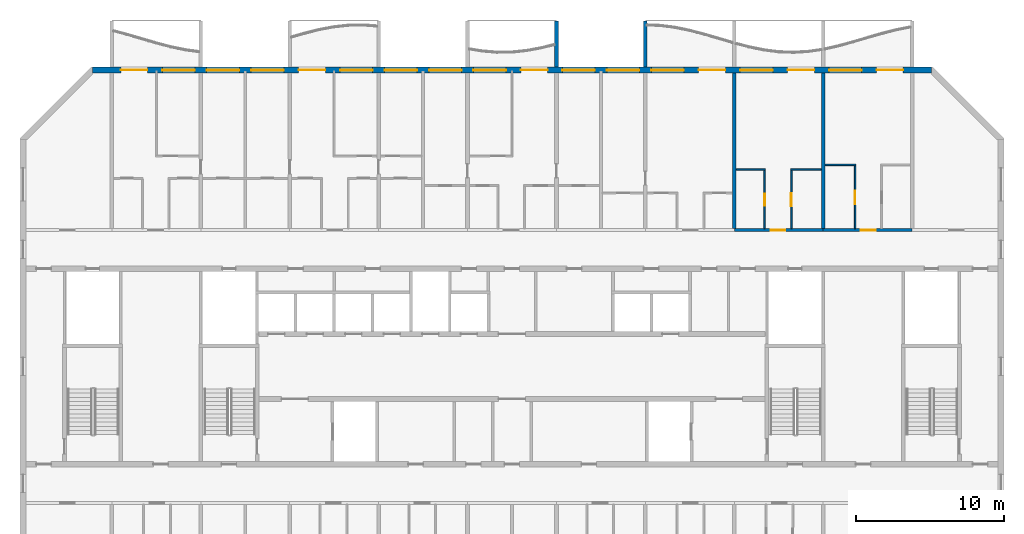
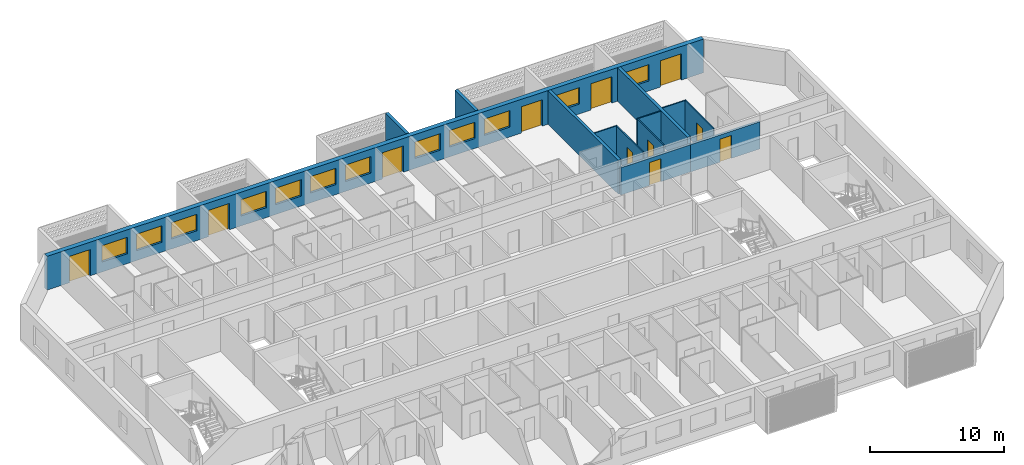
# One storey, part 10 of 26: 13 walls, 12 windows, 11 doors, 23 openings.
"""IFC4 building model written with IfcOpenShell, lengths in metres."""

from ifc_helpers import new_model, si_unit, direction, frame, frame_2d, origin, place, context, subcontext, project, spatial, polyline, rectangle, outline, extrude, source, transform, mapped, material, layer, layer_set, type_object, element, fill, save


model = new_model("IFC4")

# Units and contexts
model_context = context("Model", 3, precision=1e-05, world=origin(), true_north=direction((0.0, 1.0)))
body_context = subcontext(model_context, "Body", "Model", "MODEL_VIEW")
ifc_project = project(units=[si_unit("LENGTHUNIT", "METRE"), si_unit("AREAUNIT", "SQUARE_METRE"), si_unit("VOLUMEUNIT", "CUBIC_METRE"), si_unit("PLANEANGLEUNIT", "RADIAN"), si_unit("MASSUNIT", "GRAM", prefix="KILO")], contexts=[model_context])

# Site, building, storey
site_placement = place(None, origin())
site = spatial("IfcSite", under=ifc_project, at=site_placement, CompositionType="ELEMENT")
building_placement = place(site_placement, origin())
building = spatial("IfcBuilding", under=site, at=building_placement, Name="Poui Terraces", CompositionType="ELEMENT")
storey_placement = place(building_placement, frame((0.0, 0.0, 241.199951171875)))
storey = spatial("IfcBuildingStorey", under=building, at=storey_placement, Name="L67", CompositionType="ELEMENT", Elevation=241.199951171875)

# Wall, opening, door
ifc_material_1 = material(Name="Concrete 50 MPa", Category="concrete")
ifc_layer_1 = layer(ifc_material_1, 0.199951171875)
ifc_layer_set_1 = layer_set([ifc_layer_1], Name="Concrete 50 MPa")
wall_type_1 = type_object("IfcWallType", Name="CORRIDOR WALL 200 50MPa", PredefinedType="SHEAR", material=ifc_layer_set_1)
wall_1_placement = place(storey_placement, frame((66.0, 30.39990234375, 0.0), z_axis=(0.0, 0.0, 1.0), x_axis=(1.0, 0.0, 0.0)))
wall_1 = element("IfcWall", 1, at=wall_1_placement, inside=storey, type_object=wall_type_1, Name="CORRIDOR WALL LINE E BAY 9", PredefinedType="SHEAR", context=body_context, shape_type="SweptSolid", body=[
    extrude(rectangle(XDim=6.0, YDim=0.199951171875, at=frame_2d((3.0, 0.0))), origin(), (0.0, 0.0, 1.0), 2.47998046875),
])
opening_1_placement = place(wall_1_placement, frame((2.449951171875, 0.0, 0.0)))
opening_1 = element("IfcOpeningElement", 2, at=opening_1_placement, cuts=wall_1, Name="Opening FD30S", PredefinedType="OPENING", context=body_context, shape_type="SweptSolid", body=[
    extrude(rectangle(XDim=1.0, YDim=2.10009765625, at=frame_2d((0.5, 1.050048828125))), frame((0.0, 0.10986328125, 0.0), z_axis=(0.0, -1.0, 0.0), x_axis=(1.0, 0.0, 0.0)), (0.0, 0.0, 1.0), 0.219970703125),
])
ifc_material_2 = material(Name="Steel fire door", Category="steel")
door_type_1 = type_object("IfcDoorType", Name="FLAT ENTRANCE DOOR 1000 X 2100", OperationType="NOTDEFINED", PredefinedType="DOOR", material=ifc_material_2)
door_1_placement = place(opening_1_placement, origin())
door_1 = element("IfcDoor", 3, at=door_1_placement, inside=storey, type_object=door_type_1, Name="FLAT ENTRANCE DOOR 055", OperationType="SINGLE_SWING_LEFT", OverallHeight=2.10009765625, OverallWidth=1.0, PredefinedType="DOOR", context=body_context, shape_type="SweptSolid", body=[
    extrude(rectangle(XDim=1.0, YDim=2.10009765625, at=frame_2d((0.5, 1.050048828125))), frame((0.0, 0.02490234375, 0.0), z_axis=(0.0, -1.0, 0.0), x_axis=(1.0, 0.0, 0.0)), (0.0, 0.0, 1.0), 0.050048828125),
])
fill(opening_1, door_1)

wall_2_placement = place(storey_placement, frame((72.0, 30.39990234375, 0.0), z_axis=(0.0, 0.0, 1.0), x_axis=(1.0, 0.0, 0.0)))
wall_2 = element("IfcWall", 4, at=wall_2_placement, inside=storey, type_object=wall_type_1, Name="CORRIDOR WALL LINE E BAY 10", PredefinedType="SHEAR", context=body_context, shape_type="SweptSolid", body=[
    extrude(rectangle(XDim=6.0, YDim=0.199951171875, at=frame_2d((3.0, 0.0))), origin(), (0.0, 0.0, 1.0), 2.47998046875),
])
opening_2_placement = place(wall_2_placement, frame((2.550048828125, 0.0, 0.0)))
opening_2 = element("IfcOpeningElement", 5, at=opening_2_placement, cuts=wall_2, Name="Opening FD30S", PredefinedType="OPENING", context=body_context, shape_type="SweptSolid", body=[
    extrude(rectangle(XDim=1.0, YDim=2.10009765625, at=frame_2d((0.5, 1.050048828125))), frame((0.0, 0.10986328125, 0.0), z_axis=(0.0, -1.0, 0.0), x_axis=(1.0, 0.0, 0.0)), (0.0, 0.0, 1.0), 0.219970703125),
])
door_2_placement = place(opening_2_placement, origin())
door_2 = element("IfcDoor", 6, at=door_2_placement, inside=storey, type_object=door_type_1, Name="FLAT ENTRANCE DOOR 058", OperationType="SINGLE_SWING_RIGHT", OverallHeight=2.10009765625, OverallWidth=1.0, PredefinedType="DOOR", context=body_context, shape_type="SweptSolid", body=[
    extrude(rectangle(XDim=1.0, YDim=2.10009765625, at=frame_2d((0.5, 1.050048828125))), frame((0.0, 0.02490234375, 0.0), z_axis=(0.0, -1.0, 0.0), x_axis=(1.0, 0.0, 0.0)), (0.0, 0.0, 1.0), 0.050048828125),
])
fill(opening_2, door_2)

# Walls
ifc_layer_2 = layer(ifc_material_1, 0.25)
ifc_layer_set_2 = layer_set([ifc_layer_2], Name="Concrete 50 MPa")
wall_type_2 = type_object("IfcWallType", Name="CROSS WALL 250 50MPa", PredefinedType="SHEAR", material=ifc_layer_set_2)
for number, where, z_axis, x_axis, name in (
    (7, (66.0, 30.5, 0.0), (0.0, 0.0, 1.0), (0.0, 1.0, 0.0), "CROSS WALL LINE 12 NORTH"),
    (8, (72.0, 30.5, 0.0), (0.0, 0.0, 1.0), (0.0, 1.0, 0.0), "CROSS WALL LINE 13 NORTH"),
):
    element("IfcWall", number, at=place(storey_placement, frame(where, z_axis=z_axis, x_axis=x_axis)), inside=storey, type_object=wall_type_2, Name=name, PredefinedType="SHEAR", context=body_context, shape_type="SweptSolid", body=[
        extrude(rectangle(XDim=10.5, YDim=0.25, at=frame_2d((5.25, 0.0))), origin(), (0.0, 0.0, 1.0), 3.080078125),
    ])

# Wall, openings, doors, windows
ifc_material_3 = material(Name="Precast concrete 40 MPa", Category="concrete")
ifc_layer_3 = layer(ifc_material_3, 0.39990234375)
ifc_layer_set_3 = layer_set([ifc_layer_3], Name="Precast concrete 40 MPa")
wall_type_3 = type_object("IfcWallType", Name="EXTERNAL WALL 400", PredefinedType="STANDARD", material=ifc_layer_set_3)
wall_3_placement = place(storey_placement, frame((79.317138671875, 41.199951171875, 0.0), z_axis=(0.0, 0.0, 1.0), x_axis=(-1.0, 0.0, 0.0)))
wall_3 = element("IfcWall", 9, at=wall_3_placement, inside=storey, type_object=wall_type_3, Name="EXTERNAL WALL N", PredefinedType="STANDARD", context=body_context, shape_type="SweptSolid", body=[
    extrude(rectangle(XDim=56.63427734375, YDim=0.39990234375, at=frame_2d((28.317138671875, 0.0))), origin(), (0.0, 0.0, 1.0), 3.080078125),
])
opening_3_placement = place(wall_3_placement, frame((52.917236328125, 0.0, 0.0)))
opening_3 = element("IfcOpeningElement", 10, at=opening_3_placement, cuts=wall_3, Name="Opening BD1", PredefinedType="OPENING", context=body_context, shape_type="SweptSolid", body=[
    extrude(rectangle(XDim=1.800048828125, YDim=2.39990234375, at=frame_2d((0.89990234375, 1.199951171875))), frame((0.0, 0.2099609375, 0.0), z_axis=(0.0, -1.0, 0.0), x_axis=(1.0, 0.0, 0.0)), (0.0, 0.0, 1.0), 0.419921875),
])
opening_4_placement = place(wall_3_placement, frame((49.71728515625, 0.0, 0.89990234375)))
opening_4 = element("IfcOpeningElement", 11, at=opening_4_placement, cuts=wall_3, Name="Opening W1", PredefinedType="OPENING", context=body_context, shape_type="SweptSolid", body=[
    extrude(rectangle(XDim=2.199951171875, YDim=1.5, at=frame_2d((1.10009765625, 0.75))), frame((0.0, 0.2099609375, 0.0), z_axis=(0.0, -1.0, 0.0), x_axis=(1.0, 0.0, 0.0)), (0.0, 0.0, 1.0), 0.419921875),
])
opening_5_placement = place(wall_3_placement, frame((46.71728515625, 0.0, 0.89990234375)))
opening_5 = element("IfcOpeningElement", 12, at=opening_5_placement, cuts=wall_3, Name="Opening W1", PredefinedType="OPENING", context=body_context, shape_type="SweptSolid", body=[
    extrude(rectangle(XDim=2.199951171875, YDim=1.5, at=frame_2d((1.10009765625, 0.75))), frame((0.0, 0.2099609375, 0.0), z_axis=(0.0, -1.0, 0.0), x_axis=(1.0, 0.0, 0.0)), (0.0, 0.0, 1.0), 0.419921875),
])
opening_6_placement = place(wall_3_placement, frame((43.71728515625, 0.0, 0.89990234375)))
opening_6 = element("IfcOpeningElement", 13, at=opening_6_placement, cuts=wall_3, Name="Opening W1", PredefinedType="OPENING", context=body_context, shape_type="SweptSolid", body=[
    extrude(rectangle(XDim=2.199951171875, YDim=1.5, at=frame_2d((1.10009765625, 0.75))), frame((0.0, 0.2099609375, 0.0), z_axis=(0.0, -1.0, 0.0), x_axis=(1.0, 0.0, 0.0)), (0.0, 0.0, 1.0), 0.419921875),
])
opening_7_placement = place(wall_3_placement, frame((40.917236328125, 0.0, 0.0)))
opening_7 = element("IfcOpeningElement", 14, at=opening_7_placement, cuts=wall_3, Name="Opening BD1", PredefinedType="OPENING", context=body_context, shape_type="SweptSolid", body=[
    extrude(rectangle(XDim=1.800048828125, YDim=2.39990234375, at=frame_2d((0.89990234375, 1.199951171875))), frame((0.0, 0.2099609375, 0.0), z_axis=(0.0, -1.0, 0.0), x_axis=(1.0, 0.0, 0.0)), (0.0, 0.0, 1.0), 0.419921875),
])
opening_8_placement = place(wall_3_placement, frame((37.71728515625, 0.0, 0.89990234375)))
opening_8 = element("IfcOpeningElement", 15, at=opening_8_placement, cuts=wall_3, Name="Opening W1", PredefinedType="OPENING", context=body_context, shape_type="SweptSolid", body=[
    extrude(rectangle(XDim=2.199951171875, YDim=1.5, at=frame_2d((1.10009765625, 0.75))), frame((0.0, 0.2099609375, 0.0), z_axis=(0.0, -1.0, 0.0), x_axis=(1.0, 0.0, 0.0)), (0.0, 0.0, 1.0), 0.419921875),
])
opening_9_placement = place(wall_3_placement, frame((34.71728515625, 0.0, 0.89990234375)))
opening_9 = element("IfcOpeningElement", 16, at=opening_9_placement, cuts=wall_3, Name="Opening W1", PredefinedType="OPENING", context=body_context, shape_type="SweptSolid", body=[
    extrude(rectangle(XDim=2.199951171875, YDim=1.5, at=frame_2d((1.10009765625, 0.75))), frame((0.0, 0.2099609375, 0.0), z_axis=(0.0, -1.0, 0.0), x_axis=(1.0, 0.0, 0.0)), (0.0, 0.0, 1.0), 0.419921875),
])
opening_10_placement = place(wall_3_placement, frame((31.71728515625, 0.0, 0.89990234375)))
opening_10 = element("IfcOpeningElement", 17, at=opening_10_placement, cuts=wall_3, Name="Opening W1", PredefinedType="OPENING", context=body_context, shape_type="SweptSolid", body=[
    extrude(rectangle(XDim=2.199951171875, YDim=1.5, at=frame_2d((1.10009765625, 0.75))), frame((0.0, 0.2099609375, 0.0), z_axis=(0.0, -1.0, 0.0), x_axis=(1.0, 0.0, 0.0)), (0.0, 0.0, 1.0), 0.419921875),
])
opening_11_placement = place(wall_3_placement, frame((28.71728515625, 0.0, 0.89990234375)))
opening_11 = element("IfcOpeningElement", 18, at=opening_11_placement, cuts=wall_3, Name="Opening W1", PredefinedType="OPENING", context=body_context, shape_type="SweptSolid", body=[
    extrude(rectangle(XDim=2.199951171875, YDim=1.5, at=frame_2d((1.10009765625, 0.75))), frame((0.0, 0.2099609375, 0.0), z_axis=(0.0, -1.0, 0.0), x_axis=(1.0, 0.0, 0.0)), (0.0, 0.0, 1.0), 0.419921875),
])
opening_12_placement = place(wall_3_placement, frame((25.917236328125, 0.0, 0.0)))
opening_12 = element("IfcOpeningElement", 19, at=opening_12_placement, cuts=wall_3, Name="Opening BD1", PredefinedType="OPENING", context=body_context, shape_type="SweptSolid", body=[
    extrude(rectangle(XDim=1.800048828125, YDim=2.39990234375, at=frame_2d((0.89990234375, 1.199951171875))), frame((0.0, 0.2099609375, 0.0), z_axis=(0.0, -1.0, 0.0), x_axis=(1.0, 0.0, 0.0)), (0.0, 0.0, 1.0), 0.419921875),
])
opening_13_placement = place(wall_3_placement, frame((22.71728515625, 0.0, 0.89990234375)))
opening_13 = element("IfcOpeningElement", 20, at=opening_13_placement, cuts=wall_3, Name="Opening W1", PredefinedType="OPENING", context=body_context, shape_type="SweptSolid", body=[
    extrude(rectangle(XDim=2.199951171875, YDim=1.5, at=frame_2d((1.10009765625, 0.75))), frame((0.0, 0.2099609375, 0.0), z_axis=(0.0, -1.0, 0.0), x_axis=(1.0, 0.0, 0.0)), (0.0, 0.0, 1.0), 0.419921875),
])
opening_14_placement = place(wall_3_placement, frame((19.71728515625, 0.0, 0.89990234375)))
opening_14 = element("IfcOpeningElement", 21, at=opening_14_placement, cuts=wall_3, Name="Opening W1", PredefinedType="OPENING", context=body_context, shape_type="SweptSolid", body=[
    extrude(rectangle(XDim=2.199951171875, YDim=1.5, at=frame_2d((1.10009765625, 0.75))), frame((0.0, 0.2099609375, 0.0), z_axis=(0.0, -1.0, 0.0), x_axis=(1.0, 0.0, 0.0)), (0.0, 0.0, 1.0), 0.419921875),
])
opening_15_placement = place(wall_3_placement, frame((16.71728515625, 0.0, 0.89990234375)))
opening_15 = element("IfcOpeningElement", 22, at=opening_15_placement, cuts=wall_3, Name="Opening W1", PredefinedType="OPENING", context=body_context, shape_type="SweptSolid", body=[
    extrude(rectangle(XDim=2.199951171875, YDim=1.5, at=frame_2d((1.10009765625, 0.75))), frame((0.0, 0.2099609375, 0.0), z_axis=(0.0, -1.0, 0.0), x_axis=(1.0, 0.0, 0.0)), (0.0, 0.0, 1.0), 0.419921875),
])
opening_16_placement = place(wall_3_placement, frame((13.917236328125, 0.0, 0.0)))
opening_16 = element("IfcOpeningElement", 23, at=opening_16_placement, cuts=wall_3, Name="Opening BD1", PredefinedType="OPENING", context=body_context, shape_type="SweptSolid", body=[
    extrude(rectangle(XDim=1.800048828125, YDim=2.39990234375, at=frame_2d((0.89990234375, 1.199951171875))), frame((0.0, 0.2099609375, 0.0), z_axis=(0.0, -1.0, 0.0), x_axis=(1.0, 0.0, 0.0)), (0.0, 0.0, 1.0), 0.419921875),
])
opening_17_placement = place(wall_3_placement, frame((10.71728515625, 0.0, 0.89990234375)))
opening_17 = element("IfcOpeningElement", 24, at=opening_17_placement, cuts=wall_3, Name="Opening W1", PredefinedType="OPENING", context=body_context, shape_type="SweptSolid", body=[
    extrude(rectangle(XDim=2.199951171875, YDim=1.5, at=frame_2d((1.10009765625, 0.75))), frame((0.0, 0.2099609375, 0.0), z_axis=(0.0, -1.0, 0.0), x_axis=(1.0, 0.0, 0.0)), (0.0, 0.0, 1.0), 0.419921875),
])
opening_18_placement = place(wall_3_placement, frame((7.917236328125, 0.0, 0.0)))
opening_18 = element("IfcOpeningElement", 25, at=opening_18_placement, cuts=wall_3, Name="Opening BD1", PredefinedType="OPENING", context=body_context, shape_type="SweptSolid", body=[
    extrude(rectangle(XDim=1.800048828125, YDim=2.39990234375, at=frame_2d((0.89990234375, 1.199951171875))), frame((0.0, 0.2099609375, 0.0), z_axis=(0.0, -1.0, 0.0), x_axis=(1.0, 0.0, 0.0)), (0.0, 0.0, 1.0), 0.419921875),
])
opening_19_placement = place(wall_3_placement, frame((4.71728515625, 0.0, 0.89990234375)))
opening_19 = element("IfcOpeningElement", 26, at=opening_19_placement, cuts=wall_3, Name="Opening W1", PredefinedType="OPENING", context=body_context, shape_type="SweptSolid", body=[
    extrude(rectangle(XDim=2.199951171875, YDim=1.5, at=frame_2d((1.10009765625, 0.75))), frame((0.0, 0.2099609375, 0.0), z_axis=(0.0, -1.0, 0.0), x_axis=(1.0, 0.0, 0.0)), (0.0, 0.0, 1.0), 0.419921875),
])
opening_20_placement = place(wall_3_placement, frame((1.917236328125, 0.0, 0.0)))
opening_20 = element("IfcOpeningElement", 27, at=opening_20_placement, cuts=wall_3, Name="Opening BD1", PredefinedType="OPENING", context=body_context, shape_type="SweptSolid", body=[
    extrude(rectangle(XDim=1.800048828125, YDim=2.39990234375, at=frame_2d((0.89990234375, 1.199951171875))), frame((0.0, 0.2099609375, 0.0), z_axis=(0.0, -1.0, 0.0), x_axis=(1.0, 0.0, 0.0)), (0.0, 0.0, 1.0), 0.419921875),
])
ifc_material_4 = material(Name="Clear glass in aluminium frame", Category="aluminium")
door_type_2 = type_object("IfcDoorType", Name="BALCONY DOOR 1800X2400", OperationType="DOUBLE_DOOR_SLIDING", PredefinedType="DOOR", material=ifc_material_4)
door_3_placement = place(opening_3_placement, origin())
door_3 = element("IfcDoor", 28, at=door_3_placement, inside=storey, type_object=door_type_2, Name="BD1 BALCONY DOOR", OperationType="DOUBLE_DOOR_SLIDING", OverallHeight=2.39990234375, OverallWidth=1.800048828125, PredefinedType="DOOR", context=body_context, shape_type="SweptSolid", body=[
    extrude(rectangle(XDim=1.800048828125, YDim=2.39990234375, at=frame_2d((0.89990234375, 1.199951171875))), frame((0.0, 0.02490234375, 0.0), z_axis=(0.0, -1.0, 0.0), x_axis=(1.0, 0.0, 0.0)), (0.0, 0.0, 1.0), 0.050048828125),
])
fill(opening_3, door_3)
door_4_placement = place(opening_7_placement, origin())
door_4 = element("IfcDoor", 29, at=door_4_placement, inside=storey, type_object=door_type_2, Name="BD1 BALCONY DOOR", OperationType="DOUBLE_DOOR_SLIDING", OverallHeight=2.39990234375, OverallWidth=1.800048828125, PredefinedType="DOOR", context=body_context, shape_type="SweptSolid", body=[
    extrude(rectangle(XDim=1.800048828125, YDim=2.39990234375, at=frame_2d((0.89990234375, 1.199951171875))), frame((0.0, 0.02490234375, 0.0), z_axis=(0.0, -1.0, 0.0), x_axis=(1.0, 0.0, 0.0)), (0.0, 0.0, 1.0), 0.050048828125),
])
fill(opening_7, door_4)
door_5_placement = place(opening_12_placement, origin())
door_5 = element("IfcDoor", 30, at=door_5_placement, inside=storey, type_object=door_type_2, Name="BD1 BALCONY DOOR", OperationType="DOUBLE_DOOR_SLIDING", OverallHeight=2.39990234375, OverallWidth=1.800048828125, PredefinedType="DOOR", context=body_context, shape_type="SweptSolid", body=[
    extrude(rectangle(XDim=1.800048828125, YDim=2.39990234375, at=frame_2d((0.89990234375, 1.199951171875))), frame((0.0, 0.02490234375, 0.0), z_axis=(0.0, -1.0, 0.0), x_axis=(1.0, 0.0, 0.0)), (0.0, 0.0, 1.0), 0.050048828125),
])
fill(opening_12, door_5)
door_6_placement = place(opening_16_placement, origin())
door_6 = element("IfcDoor", 31, at=door_6_placement, inside=storey, type_object=door_type_2, Name="BD1 BALCONY DOOR", OperationType="DOUBLE_DOOR_SLIDING", OverallHeight=2.39990234375, OverallWidth=1.800048828125, PredefinedType="DOOR", context=body_context, shape_type="SweptSolid", body=[
    extrude(rectangle(XDim=1.800048828125, YDim=2.39990234375, at=frame_2d((0.89990234375, 1.199951171875))), frame((0.0, 0.02490234375, 0.0), z_axis=(0.0, -1.0, 0.0), x_axis=(1.0, 0.0, 0.0)), (0.0, 0.0, 1.0), 0.050048828125),
])
fill(opening_16, door_6)
door_7_placement = place(opening_18_placement, origin())
door_7 = element("IfcDoor", 32, at=door_7_placement, inside=storey, type_object=door_type_2, Name="BD1 BALCONY DOOR", OperationType="DOUBLE_DOOR_SLIDING", OverallHeight=2.39990234375, OverallWidth=1.800048828125, PredefinedType="DOOR", context=body_context, shape_type="SweptSolid", body=[
    extrude(rectangle(XDim=1.800048828125, YDim=2.39990234375, at=frame_2d((0.89990234375, 1.199951171875))), frame((0.0, 0.02490234375, 0.0), z_axis=(0.0, -1.0, 0.0), x_axis=(1.0, 0.0, 0.0)), (0.0, 0.0, 1.0), 0.050048828125),
])
fill(opening_18, door_7)
door_8_placement = place(opening_20_placement, origin())
door_8 = element("IfcDoor", 33, at=door_8_placement, inside=storey, type_object=door_type_2, Name="BD1 BALCONY DOOR", OperationType="DOUBLE_DOOR_SLIDING", OverallHeight=2.39990234375, OverallWidth=1.800048828125, PredefinedType="DOOR", context=body_context, shape_type="SweptSolid", body=[
    extrude(rectangle(XDim=1.800048828125, YDim=2.39990234375, at=frame_2d((0.89990234375, 1.199951171875))), frame((0.0, 0.02490234375, 0.0), z_axis=(0.0, -1.0, 0.0), x_axis=(1.0, 0.0, 0.0)), (0.0, 0.0, 1.0), 0.050048828125),
])
fill(opening_20, door_8)
window_type = type_object("IfcWindowType", Name="WINDOW 2200X1500", PartitioningType="DOUBLE_PANEL_HORIZONTAL", PredefinedType="WINDOW", material=ifc_material_4)
window_1_placement = place(opening_4_placement, origin())
window_1 = element("IfcWindow", 34, at=window_1_placement, inside=storey, type_object=window_type, Name="W1 WINDOW", OverallHeight=1.5, OverallWidth=2.199951171875, PartitioningType="DOUBLE_PANEL_HORIZONTAL", PredefinedType="WINDOW", context=body_context, shape_type="SweptSolid", body=[
    extrude(rectangle(XDim=2.199951171875, YDim=1.5, at=frame_2d((1.10009765625, 0.75))), frame((0.0, 0.030029296875, 0.0), z_axis=(0.0, -1.0, 0.0), x_axis=(1.0, 0.0, 0.0)), (0.0, 0.0, 1.0), 0.06005859375),
])
fill(opening_4, window_1)
window_2_placement = place(opening_5_placement, origin())
window_2 = element("IfcWindow", 35, at=window_2_placement, inside=storey, type_object=window_type, Name="W1 WINDOW", OverallHeight=1.5, OverallWidth=2.199951171875, PartitioningType="DOUBLE_PANEL_HORIZONTAL", PredefinedType="WINDOW", context=body_context, shape_type="SweptSolid", body=[
    extrude(rectangle(XDim=2.199951171875, YDim=1.5, at=frame_2d((1.10009765625, 0.75))), frame((0.0, 0.030029296875, 0.0), z_axis=(0.0, -1.0, 0.0), x_axis=(1.0, 0.0, 0.0)), (0.0, 0.0, 1.0), 0.06005859375),
])
fill(opening_5, window_2)
window_3_placement = place(opening_6_placement, origin())
window_3 = element("IfcWindow", 36, at=window_3_placement, inside=storey, type_object=window_type, Name="W1 WINDOW", OverallHeight=1.5, OverallWidth=2.199951171875, PartitioningType="DOUBLE_PANEL_HORIZONTAL", PredefinedType="WINDOW", context=body_context, shape_type="SweptSolid", body=[
    extrude(rectangle(XDim=2.199951171875, YDim=1.5, at=frame_2d((1.10009765625, 0.75))), frame((0.0, 0.030029296875, 0.0), z_axis=(0.0, -1.0, 0.0), x_axis=(1.0, 0.0, 0.0)), (0.0, 0.0, 1.0), 0.06005859375),
])
fill(opening_6, window_3)
window_4_placement = place(opening_8_placement, origin())
window_4 = element("IfcWindow", 37, at=window_4_placement, inside=storey, type_object=window_type, Name="W1 WINDOW", OverallHeight=1.5, OverallWidth=2.199951171875, PartitioningType="DOUBLE_PANEL_HORIZONTAL", PredefinedType="WINDOW", context=body_context, shape_type="SweptSolid", body=[
    extrude(rectangle(XDim=2.199951171875, YDim=1.5, at=frame_2d((1.10009765625, 0.75))), frame((0.0, 0.030029296875, 0.0), z_axis=(0.0, -1.0, 0.0), x_axis=(1.0, 0.0, 0.0)), (0.0, 0.0, 1.0), 0.06005859375),
])
fill(opening_8, window_4)
window_5_placement = place(opening_9_placement, origin())
window_5 = element("IfcWindow", 38, at=window_5_placement, inside=storey, type_object=window_type, Name="W1 WINDOW", OverallHeight=1.5, OverallWidth=2.199951171875, PartitioningType="DOUBLE_PANEL_HORIZONTAL", PredefinedType="WINDOW", context=body_context, shape_type="SweptSolid", body=[
    extrude(rectangle(XDim=2.199951171875, YDim=1.5, at=frame_2d((1.10009765625, 0.75))), frame((0.0, 0.030029296875, 0.0), z_axis=(0.0, -1.0, 0.0), x_axis=(1.0, 0.0, 0.0)), (0.0, 0.0, 1.0), 0.06005859375),
])
fill(opening_9, window_5)
window_6_placement = place(opening_10_placement, origin())
window_6 = element("IfcWindow", 39, at=window_6_placement, inside=storey, type_object=window_type, Name="W1 WINDOW", OverallHeight=1.5, OverallWidth=2.199951171875, PartitioningType="DOUBLE_PANEL_HORIZONTAL", PredefinedType="WINDOW", context=body_context, shape_type="SweptSolid", body=[
    extrude(rectangle(XDim=2.199951171875, YDim=1.5, at=frame_2d((1.10009765625, 0.75))), frame((0.0, 0.030029296875, 0.0), z_axis=(0.0, -1.0, 0.0), x_axis=(1.0, 0.0, 0.0)), (0.0, 0.0, 1.0), 0.06005859375),
])
fill(opening_10, window_6)
window_7_placement = place(opening_11_placement, origin())
window_7 = element("IfcWindow", 40, at=window_7_placement, inside=storey, type_object=window_type, Name="W1 WINDOW", OverallHeight=1.5, OverallWidth=2.199951171875, PartitioningType="DOUBLE_PANEL_HORIZONTAL", PredefinedType="WINDOW", context=body_context, shape_type="SweptSolid", body=[
    extrude(rectangle(XDim=2.199951171875, YDim=1.5, at=frame_2d((1.10009765625, 0.75))), frame((0.0, 0.030029296875, 0.0), z_axis=(0.0, -1.0, 0.0), x_axis=(1.0, 0.0, 0.0)), (0.0, 0.0, 1.0), 0.06005859375),
])
fill(opening_11, window_7)
window_8_placement = place(opening_13_placement, origin())
window_8 = element("IfcWindow", 41, at=window_8_placement, inside=storey, type_object=window_type, Name="W1 WINDOW", OverallHeight=1.5, OverallWidth=2.199951171875, PartitioningType="DOUBLE_PANEL_HORIZONTAL", PredefinedType="WINDOW", context=body_context, shape_type="SweptSolid", body=[
    extrude(rectangle(XDim=2.199951171875, YDim=1.5, at=frame_2d((1.10009765625, 0.75))), frame((0.0, 0.030029296875, 0.0), z_axis=(0.0, -1.0, 0.0), x_axis=(1.0, 0.0, 0.0)), (0.0, 0.0, 1.0), 0.06005859375),
])
fill(opening_13, window_8)
window_9_placement = place(opening_14_placement, origin())
window_9 = element("IfcWindow", 42, at=window_9_placement, inside=storey, type_object=window_type, Name="W1 WINDOW", OverallHeight=1.5, OverallWidth=2.199951171875, PartitioningType="DOUBLE_PANEL_HORIZONTAL", PredefinedType="WINDOW", context=body_context, shape_type="SweptSolid", body=[
    extrude(rectangle(XDim=2.199951171875, YDim=1.5, at=frame_2d((1.10009765625, 0.75))), frame((0.0, 0.030029296875, 0.0), z_axis=(0.0, -1.0, 0.0), x_axis=(1.0, 0.0, 0.0)), (0.0, 0.0, 1.0), 0.06005859375),
])
fill(opening_14, window_9)
window_10_placement = place(opening_15_placement, origin())
window_10 = element("IfcWindow", 43, at=window_10_placement, inside=storey, type_object=window_type, Name="W1 WINDOW", OverallHeight=1.5, OverallWidth=2.199951171875, PartitioningType="DOUBLE_PANEL_HORIZONTAL", PredefinedType="WINDOW", context=body_context, shape_type="SweptSolid", body=[
    extrude(rectangle(XDim=2.199951171875, YDim=1.5, at=frame_2d((1.10009765625, 0.75))), frame((0.0, 0.030029296875, 0.0), z_axis=(0.0, -1.0, 0.0), x_axis=(1.0, 0.0, 0.0)), (0.0, 0.0, 1.0), 0.06005859375),
])
fill(opening_15, window_10)
window_11_placement = place(opening_17_placement, origin())
window_11 = element("IfcWindow", 44, at=window_11_placement, inside=storey, type_object=window_type, Name="W1 WINDOW", OverallHeight=1.5, OverallWidth=2.199951171875, PartitioningType="DOUBLE_PANEL_HORIZONTAL", PredefinedType="WINDOW", context=body_context, shape_type="SweptSolid", body=[
    extrude(rectangle(XDim=2.199951171875, YDim=1.5, at=frame_2d((1.10009765625, 0.75))), frame((0.0, 0.030029296875, 0.0), z_axis=(0.0, -1.0, 0.0), x_axis=(1.0, 0.0, 0.0)), (0.0, 0.0, 1.0), 0.06005859375),
])
fill(opening_17, window_11)
window_12_placement = place(opening_19_placement, origin())
window_12 = element("IfcWindow", 45, at=window_12_placement, inside=storey, type_object=window_type, Name="W1 WINDOW", OverallHeight=1.5, OverallWidth=2.199951171875, PartitioningType="DOUBLE_PANEL_HORIZONTAL", PredefinedType="WINDOW", context=body_context, shape_type="SweptSolid", body=[
    extrude(rectangle(XDim=2.199951171875, YDim=1.5, at=frame_2d((1.10009765625, 0.75))), frame((0.0, 0.030029296875, 0.0), z_axis=(0.0, -1.0, 0.0), x_axis=(1.0, 0.0, 0.0)), (0.0, 0.0, 1.0), 0.06005859375),
])
fill(opening_19, window_12)

# Walls
ifc_material_5 = material(Name="Plasterboard partition")
ifc_layer_4 = layer(ifc_material_5, 0.10009765625)
ifc_layer_set_4 = layer_set([ifc_layer_4], Name="Plasterboard partition")
wall_type_4 = type_object("IfcWallType", Name="FLAT PARTITION 100", PredefinedType="PARTITIONING", material=ifc_layer_set_4)
wall_4_placement = place(storey_placement, frame((66.135009765625, 34.5, 0.0), z_axis=(0.0, 0.0, 1.0), x_axis=(1.0, 0.0, 0.0)))
element("IfcWall", 46, at=wall_4_placement, inside=storey, type_object=wall_type_4, Name="FLAT PARTITION 100", PredefinedType="PARTITIONING", context=body_context, shape_type="SweptSolid", body=[
    extrude(rectangle(XDim=1.965087890625, YDim=0.10009765625, at=frame_2d((0.982421875, 0.0))), origin(), (0.0, 0.0, 1.0), 3.080078125),
])
for number, where, z_axis, x_axis, name in (
    (47, (69.800048828125, 34.5, 0.0), (0.0, 0.0, 1.0), (1.0, 0.0, 0.0), "FLAT PARTITION 100"),
    (48, (72.135009765625, 34.800048828125, 0.0), (0.0, 0.0, 1.0), (1.0, 0.0, 0.0), "FLAT PARTITION 100"),
):
    element("IfcWall", number, at=place(storey_placement, frame(where, z_axis=z_axis, x_axis=x_axis)), inside=storey, type_object=wall_type_4, Name=name, PredefinedType="PARTITIONING", context=body_context, shape_type="SweptSolid", body=[
        extrude(rectangle(XDim=2.06494140625, YDim=0.10009765625, at=frame_2d((1.032470703125, 0.0))), origin(), (0.0, 0.0, 1.0), 3.080078125),
    ])

# Wall, opening, door
wall_5_placement = place(storey_placement, frame((68.050048828125, 30.510009765625, 0.0), z_axis=(0.0, 0.0, 1.0), x_axis=(0.0, 1.0, 0.0)))
wall_5 = element("IfcWall", 49, at=wall_5_placement, inside=storey, type_object=wall_type_4, Name="FLAT PARTITION 100", PredefinedType="PARTITIONING", context=body_context, shape_type="SweptSolid", body=[
    extrude(rectangle(XDim=3.93994140625, YDim=0.10009765625, at=frame_2d((1.969970703125, 0.0))), origin(), (0.0, 0.0, 1.0), 3.080078125),
])
opening_21_placement = place(wall_5_placement, frame((1.5400390625, 0.0, 0.0)))
opening_21 = element("IfcOpeningElement", 50, at=opening_21_placement, cuts=wall_5, Name="Opening D80", PredefinedType="OPENING", context=body_context, shape_type="SweptSolid", body=[
    extrude(rectangle(XDim=0.800048828125, YDim=2.10009765625, at=frame_2d((0.39990234375, 1.050048828125))), frame((0.0, 0.06005859375, 0.0), z_axis=(0.0, -1.0, 0.0), x_axis=(1.0, 0.0, 0.0)), (0.0, 0.0, 1.0), 0.1201171875),
])
ifc_material_6 = material(Name="Solid core timber door", Category="wood")
door_type_3 = type_object("IfcDoorType", Name="BATHROOM, LAUNDRY AND STORE DOOR 800 X 2100", OperationType="NOTDEFINED", PredefinedType="DOOR", material=ifc_material_6)
door_9_placement = place(opening_21_placement, origin())
door_9 = element("IfcDoor", 51, at=door_9_placement, inside=storey, type_object=door_type_3, Name="BATHROOM, LAUNDRY AND STORE DOOR 054", OperationType="SINGLE_SWING_LEFT", OverallHeight=2.10009765625, OverallWidth=0.800048828125, PredefinedType="DOOR", context=body_context, shape_type="SweptSolid", body=[
    extrude(rectangle(XDim=0.800048828125, YDim=2.10009765625, at=frame_2d((0.39990234375, 1.050048828125))), frame((0.0, 0.02490234375, 0.0), z_axis=(0.0, -1.0, 0.0), x_axis=(1.0, 0.0, 0.0)), (0.0, 0.0, 1.0), 0.050048828125),
])
fill(opening_21, door_9)

wall_6_placement = place(storey_placement, frame((69.85009765625, 30.510009765625, 0.0), z_axis=(0.0, 0.0, 1.0), x_axis=(0.0, 1.0, 0.0)))
wall_6 = element("IfcWall", 52, at=wall_6_placement, inside=storey, type_object=wall_type_4, Name="FLAT PARTITION 100", PredefinedType="PARTITIONING", context=body_context, shape_type="SweptSolid", body=[
    extrude(rectangle(XDim=3.93994140625, YDim=0.10009765625, at=frame_2d((1.969970703125, 0.0))), origin(), (0.0, 0.0, 1.0), 3.080078125),
])
opening_22_placement = place(wall_6_placement, frame((1.489990234375, 0.0, 0.0)))
opening_22 = element("IfcOpeningElement", 53, at=opening_22_placement, cuts=wall_6, Name="Opening D90", PredefinedType="OPENING", context=body_context, shape_type="SweptSolid", body=[
    extrude(rectangle(XDim=0.89990234375, YDim=2.10009765625, at=frame_2d((0.449951171875, 1.050048828125))), frame((0.0, 0.06005859375, 0.0), z_axis=(0.0, -1.0, 0.0), x_axis=(1.0, 0.0, 0.0)), (0.0, 0.0, 1.0), 0.1201171875),
])
door_type_4 = type_object("IfcDoorType", Name="INTERNAL DOOR 900 X 2100", OperationType="NOTDEFINED", PredefinedType="DOOR", material=ifc_material_6)
door_10_placement = place(opening_22_placement, frame((0.89990234375, 0.0, 0.0), z_axis=(0.0, 0.0, 1.0), x_axis=(-1.0, 0.0, 0.0)))
door_10 = element("IfcDoor", 54, at=door_10_placement, inside=storey, type_object=door_type_4, Name="INTERNAL DOOR 056", OperationType="SINGLE_SWING_LEFT", OverallHeight=2.10009765625, OverallWidth=0.89990234375, PredefinedType="DOOR", context=body_context, shape_type="SweptSolid", body=[
    extrude(rectangle(XDim=0.89990234375, YDim=2.10009765625, at=frame_2d((0.449951171875, 1.050048828125))), frame((0.0, 0.02490234375, 0.0), z_axis=(0.0, -1.0, 0.0), x_axis=(1.0, 0.0, 0.0)), (0.0, 0.0, 1.0), 0.050048828125),
])
fill(opening_22, door_10)

wall_7_placement = place(storey_placement, frame((74.14990234375, 30.510009765625, 0.0), z_axis=(0.0, 0.0, 1.0), x_axis=(0.0, 1.0, 0.0)))
wall_7 = element("IfcWall", 55, at=wall_7_placement, inside=storey, type_object=wall_type_4, Name="FLAT PARTITION 100", PredefinedType="PARTITIONING", context=body_context, shape_type="SweptSolid", body=[
    extrude(rectangle(XDim=4.239990234375, YDim=0.10009765625, at=frame_2d((2.1201171875, 0.0))), origin(), (0.0, 0.0, 1.0), 3.080078125),
])
opening_23_placement = place(wall_7_placement, frame((1.639892578125, 0.0, 0.0)))
opening_23 = element("IfcOpeningElement", 56, at=opening_23_placement, cuts=wall_7, Name="Opening D90", PredefinedType="OPENING", context=body_context, shape_type="SweptSolid", body=[
    extrude(rectangle(XDim=0.89990234375, YDim=2.10009765625, at=frame_2d((0.449951171875, 1.050048828125))), frame((0.0, 0.06005859375, 0.0), z_axis=(0.0, -1.0, 0.0), x_axis=(1.0, 0.0, 0.0)), (0.0, 0.0, 1.0), 0.1201171875),
])
door_11_placement = place(opening_23_placement, origin())
door_11 = element("IfcDoor", 57, at=door_11_placement, inside=storey, type_object=door_type_4, Name="INTERNAL DOOR 057", OperationType="SINGLE_SWING_RIGHT", OverallHeight=2.10009765625, OverallWidth=0.89990234375, PredefinedType="DOOR", context=body_context, shape_type="SweptSolid", body=[
    extrude(rectangle(XDim=0.89990234375, YDim=2.10009765625, at=frame_2d((0.449951171875, 1.050048828125))), frame((0.0, 0.02490234375, 0.0), z_axis=(0.0, -1.0, 0.0), x_axis=(1.0, 0.0, 0.0)), (0.0, 0.0, 1.0), 0.050048828125),
])
fill(opening_23, door_11)

# Walls
ifc_layer_5 = layer(ifc_material_3, 0.25)
ifc_layer_set_5 = layer_set([ifc_layer_5], Name="Precast concrete 40 MPa")
wall_type_5 = type_object("IfcWallType", Name="BALCONY FIN 250", PredefinedType="STANDARD", material=ifc_layer_set_5)
shared_shape = source(origin(), body_context, "Body", "SweptSolid", [
    extrude(outline(polyline([(0.0, 0.0), (0.25, 0.0), (0.25, 3.10009765625), (0.0, 3.10009765625), (0.0, 0.0)])), origin(), (0.0, 0.0, 1.0), 3.10009765625),
])
for number, where, name in (
    (58, (53.875, 41.39990234375, 0.0), "BALCONY FIN"),
    (59, (59.875, 41.39990234375, 0.0), "BALCONY FIN"),
):
    element("IfcWall", number, at=place(storey_placement, frame(where)), inside=storey, type_object=wall_type_5, Name=name, PredefinedType="STANDARD", context=body_context, shape_type="MappedRepresentation", body=[
        mapped(shared_shape, transform((0.0, 0.0, 0.0))),
    ])

save(model, "model.ifc")
